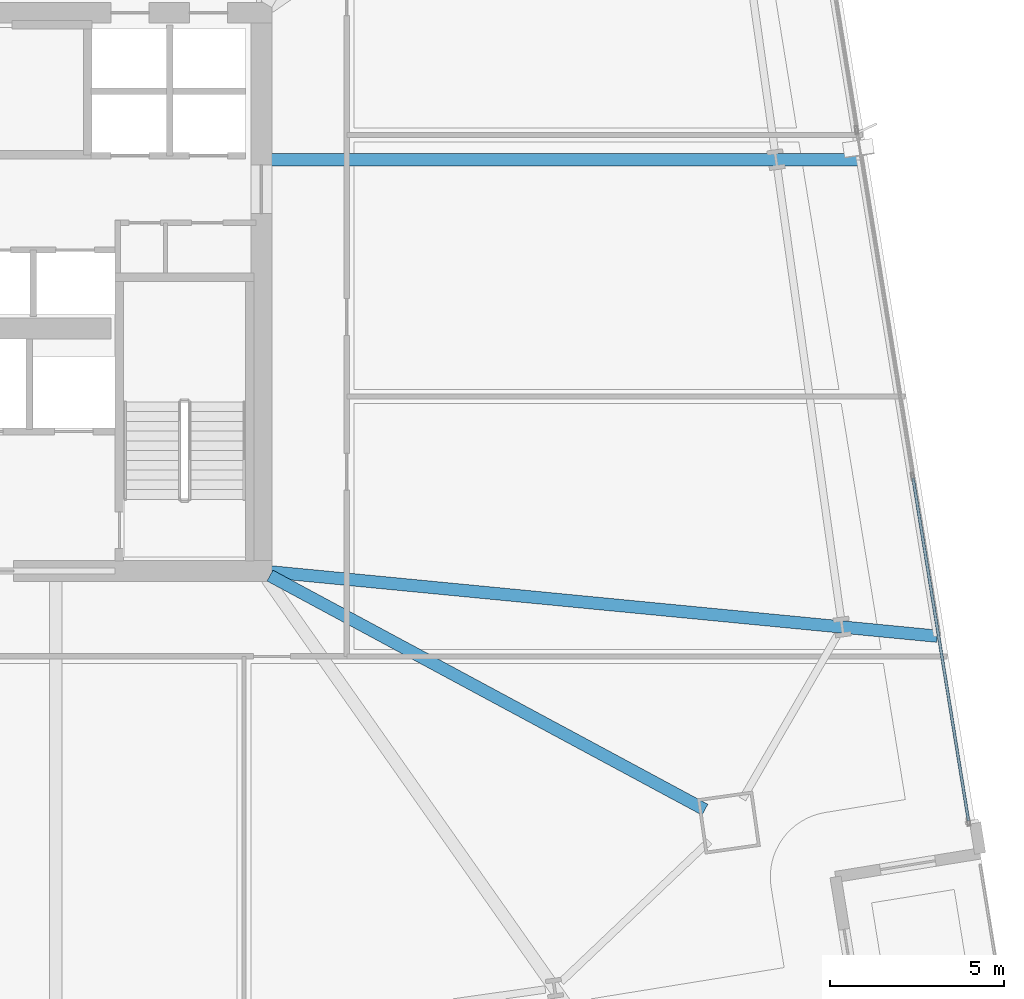
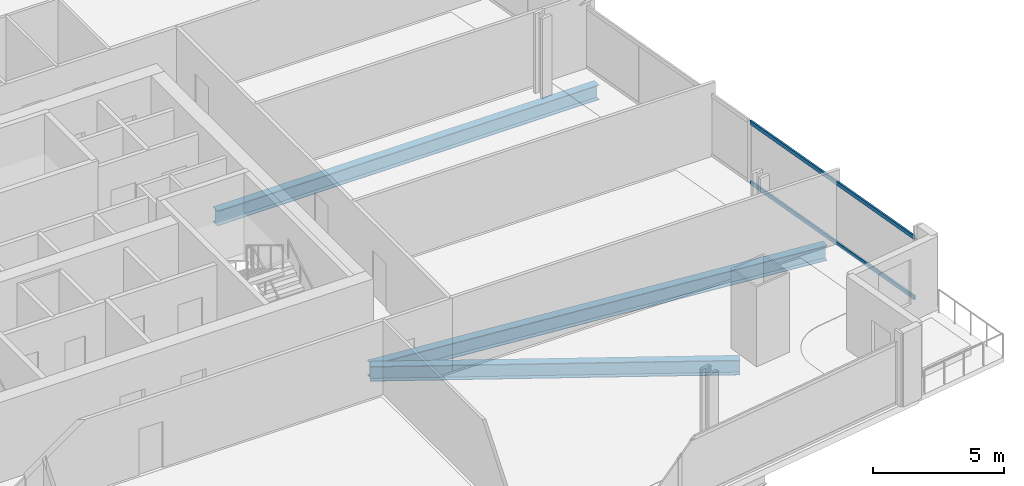
# One storey, part 12 of 33: 3 beams, 2 members, 1 element without a shape of its own.
"""IFC4 building model written with IfcOpenShell, lengths in metres."""

import ifcopenshell
import ifcopenshell.guid

model = None  # the IFC model being written
_history = None  # IfcOwnerHistory: only IFC2X3 demands one
_inside = {}  # id of a spatial element -> (the spatial element, [elements in it])
_under = {}  # id of a project, library or spatial element -> (it, [spatial elements below it])
_declared = {}  # id of a project -> (the project, [libraries it declares])
_typed = {}  # id of a type object -> (the type object, [elements of that type])
_made_of = {}  # id of a material, layer set ... -> (it, [elements and type objects made of it])


def new_model(schema):
    """Start an empty IFC model of exactly this schema.

    Asked for "IFC4X3", IfcOpenShell would pick the latest addendum, in which some entities
    have other attributes; the version numbers below select the first issue.
    IFC2X3 requires an IfcOwnerHistory on every rooted entity: one is made here for all.
    """
    global model, _history
    if schema == "IFC4X3":
        model = ifcopenshell.file(schema_version=(4, 3, 0, 0))
    else:
        model = ifcopenshell.file(schema=schema)
    _inside.clear()
    _under.clear()
    _declared.clear()
    _typed.clear()
    _made_of.clear()
    _history = None
    if model.schema == "IFC2X3":
        org = make("IfcOrganization", Name="unknown")
        user = make(
            "IfcPersonAndOrganization",
            ThePerson=make("IfcPerson", FamilyName="unknown"),
            TheOrganization=org,
        )
        app = make(
            "IfcApplication",
            ApplicationDeveloper=org,
            Version="unknown",
            ApplicationFullName="unknown",
            ApplicationIdentifier="unknown",
        )
        _history = make(
            "IfcOwnerHistory",
            OwningUser=user,
            OwningApplication=app,
            ChangeAction="ADDED",
            CreationDate=0,
        )
    return model


def make(cls, **values):
    """One entity of the class cls with the attributes given. An attribute that is None is left unset."""
    return model.create_entity(
        cls, **{name: value for name, value in values.items() if value is not None}
    )


def rooted(cls, **values):
    """An entity with a GlobalId (a new one), such as an element, a storey or a relation."""
    return make(cls, GlobalId=ifcopenshell.guid.new(), OwnerHistory=_history, **values)


def si_unit(unit_type, name, prefix=None):
    """IfcSIUnit, for example si_unit("LENGTHUNIT", "METRE", prefix="MILLI")."""
    return make("IfcSIUnit", UnitType=unit_type, Prefix=prefix, Name=name)


def assignment(units):
    """IfcUnitAssignment: the units of a project."""
    return None if units is None else make("IfcUnitAssignment", Units=units)


def point(xyz):
    """IfcCartesianPoint."""
    return None if xyz is None else make("IfcCartesianPoint", Coordinates=xyz)


def direction(xyz):
    """IfcDirection."""
    return None if xyz is None else make("IfcDirection", DirectionRatios=xyz)


def frame(location, z_axis=None, x_axis=None):
    """IfcAxis2Placement3D, a coordinate frame: its origin and axes. An axis left out is left unset."""
    return make(
        "IfcAxis2Placement3D",
        Location=point(location),
        Axis=direction(z_axis),
        RefDirection=direction(x_axis),
    )


def frame_2d(location, x_axis=None):
    """IfcAxis2Placement2D, a coordinate frame in the plane: its origin and x axis."""
    return make(
        "IfcAxis2Placement2D", Location=point(location), RefDirection=direction(x_axis)
    )


def origin():
    """The frame at (0, 0, 0) with its axes left unset."""
    return frame((0.0, 0.0, 0.0))


def origin_2d():
    """The frame at (0, 0) in the plane with its x axis left unset."""
    return frame_2d((0.0, 0.0))


def place(relative_to, where):
    """IfcLocalPlacement: puts the frame where relative to a parent placement (None: the world)."""
    return make(
        "IfcLocalPlacement", PlacementRelTo=relative_to, RelativePlacement=where
    )


def context(
    kind, dimensions, precision=None, world=None, true_north=None, identifier=None
):
    """IfcGeometricRepresentationContext, for example the 3D "Model" context."""
    return make(
        "IfcGeometricRepresentationContext",
        ContextIdentifier=identifier,
        ContextType=kind,
        CoordinateSpaceDimension=dimensions,
        Precision=precision,
        WorldCoordinateSystem=world,
        TrueNorth=true_north,
    )


def subcontext(parent, identifier, kind, view, scale=None):
    """IfcGeometricRepresentationSubContext, for example "Body" below "Model"."""
    return make(
        "IfcGeometricRepresentationSubContext",
        ContextIdentifier=identifier,
        ContextType=kind,
        ParentContext=parent,
        TargetScale=scale,
        TargetView=view,
    )


def project(units=None, contexts=None):
    """IfcProject with its units and contexts."""
    return rooted(
        "IfcProject",
        Name="project",
        RepresentationContexts=contexts,
        UnitsInContext=assignment(units),
    )


def spatial(cls, under=None, at=None, **own):
    """A site, building, storey or space (cls), placed at a placement, below another one or the project."""
    s = rooted(cls, ObjectPlacement=at, **own)
    if under is not None:
        _under.setdefault(under.id(), (under, []))[1].append(s)
    return s


def profile(cls, at=None, kind="AREA", **sizes):
    """A parametric profile (cls). Its sizes go by their IFC names, for example OverallWidth=200.0."""
    return make(cls, ProfileType=kind, Position=at, **sizes)


def hollow_rectangle(**sizes):
    """IfcRectangleHollowProfileDef."""
    return profile("IfcRectangleHollowProfileDef", **sizes)


def i_section(**sizes):
    """IfcIShapeProfileDef."""
    return profile("IfcIShapeProfileDef", **sizes)


def extrude(swept, where, along, depth):
    """IfcExtrudedAreaSolid: the profile swept, set in the frame where, extruded along a direction by depth."""
    return make(
        "IfcExtrudedAreaSolid",
        SweptArea=swept,
        Position=where,
        ExtrudedDirection=direction(along),
        Depth=depth,
    )


def shape(context_of_items, identifier, shape_type, items):
    """IfcShapeRepresentation: the items that make up one representation, for example the "Body"."""
    return make(
        "IfcShapeRepresentation",
        ContextOfItems=context_of_items,
        RepresentationIdentifier=identifier,
        RepresentationType=shape_type,
        Items=items,
    )


def material(Name=None, Category=None):
    """IfcMaterial."""
    return make("IfcMaterial", Name=Name, Category=Category)


def material_profile(
    of_material, cross_section, Name=None, Category=None, Priority=None
):
    """IfcMaterialProfile: a cross section and its material."""
    return make(
        "IfcMaterialProfile",
        Name=Name,
        Material=of_material,
        Profile=cross_section,
        Priority=Priority,
        Category=Category,
    )


def profile_set(profiles, Name=None, composite=None):
    """IfcMaterialProfileSet."""
    return make(
        "IfcMaterialProfileSet",
        Name=Name,
        MaterialProfiles=profiles,
        CompositeProfile=composite,
    )


def made_of(thing, what):
    """Note that an element or type object is made of a material, layer set ...; save() writes the relation."""
    if what is not None:
        _made_of.setdefault(what.id(), (what, []))[1].append(thing)
    return thing


def type_object(cls, material=None, **own):
    """A type object (cls), such as IfcWallType, which elements share."""
    return made_of(rooted(cls, **own), material)


def element(
    cls,
    number,
    at=None,
    inside=None,
    cuts=None,
    type_object=None,
    material=None,
    context=None,
    identifier="Body",
    shape_type=None,
    held_by="IfcProductDefinitionShape",
    body=None,
    shapes=None,
    **own,
):
    """One element of the class cls, such as IfcWall. Its Tag is "e" and its number.

    at: its placement. inside: the storey or other place that contains it. cuts: it is an
    opening in that element (IfcRelVoidsElement). A single representation is given by context,
    identifier, shape_type and body (its items); several are given by shapes. held_by: the class
    of the entity that holds the representations. save() writes the other relations.
    """
    e = rooted(cls, Tag="e%d" % number, ObjectPlacement=at, **own)
    if body is not None:
        shapes = [shape(context, identifier, shape_type, body)]
    if shapes is not None:
        e.Representation = make(held_by, Representations=shapes)
    if inside is not None:
        _inside.setdefault(inside.id(), (inside, []))[1].append(e)
    if cuts is not None:
        rooted(
            "IfcRelVoidsElement", RelatingBuildingElement=cuts, RelatedOpeningElement=e
        )
    if type_object is not None:
        _typed.setdefault(type_object.id(), (type_object, []))[1].append(e)
    return made_of(e, material)


def aggregate(whole, parts):
    """IfcRelAggregates: a whole, such as a stair, and the parts it consists of."""
    return rooted("IfcRelAggregates", RelatingObject=whole, RelatedObjects=parts)


def save(model, path):
    """Write the relations noted so far, then the file.

    IfcRelAggregates (storeys below a building ...), IfcRelContainedInSpatialStructure (elements
    in a storey), IfcRelDefinesByType, IfcRelAssociatesMaterial and IfcRelDeclares: one each for
    every whole, place, type object, material and project.
    """
    for whole, parts in _under.values():
        aggregate(whole, parts)
    for where, things in _inside.values():
        rooted(
            "IfcRelContainedInSpatialStructure",
            RelatedElements=things,
            RelatingStructure=where,
        )
    for kind, things in _typed.values():
        rooted("IfcRelDefinesByType", RelatedObjects=things, RelatingType=kind)
    for what, things in _made_of.values():
        rooted("IfcRelAssociatesMaterial", RelatedObjects=things, RelatingMaterial=what)
    for by, libraries in _declared.values():
        rooted("IfcRelDeclares", RelatingContext=by, RelatedDefinitions=libraries)
    model.write(path)


model = new_model("IFC4")

# Units and contexts
model_context = context("Model", 3, precision=1e-05, world=origin(), true_north=direction((0.0, 1.0)))
body_context = subcontext(model_context, "Body", "Model", "MODEL_VIEW")
ifc_project = project(units=[si_unit("LENGTHUNIT", "METRE"), si_unit("AREAUNIT", "SQUARE_METRE"), si_unit("VOLUMEUNIT", "CUBIC_METRE"), si_unit("PLANEANGLEUNIT", "RADIAN"), si_unit("MASSUNIT", "GRAM", prefix="KILO")], contexts=[model_context])

# Site, building, storey
site_placement = place(None, origin())
site = spatial("IfcSite", under=ifc_project, at=site_placement, CompositionType="ELEMENT")
building_placement = place(site_placement, origin())
building = spatial("IfcBuilding", under=site, at=building_placement, Name="Haldenkirk Collegiate Tower", CompositionType="ELEMENT")
storey_placement = place(building_placement, frame((0.0, 0.0, 58.949951171875)))
storey = spatial("IfcBuildingStorey", under=building, at=storey_placement, Name="L13", CompositionType="ELEMENT", Elevation=58.949951171875)

# Beams
ifc_material_1 = material(Name="Steel ASTM A992 Grade 50", Category="steel")
ifc_material_profile_1 = material_profile(ifc_material_1, i_section(OverallWidth=0.35498046875, OverallDepth=0.696044921875, WebThickness=0.015380859375, FlangeThickness=0.02490234375, at=origin_2d()), Name="W27X146")
ifc_profile_set_1 = profile_set([ifc_material_profile_1], Name="Steel ASTM A992 Grade 50")
beam_type = type_object("IfcBeamType", Name="BM-GIRDER-W27X146", PredefinedType="BEAM", material=ifc_profile_set_1)
beam_1_placement = place(storey_placement, frame((57.71435546875, 11.15673828125, -0.657958984375), z_axis=(-0.880558564783, 0.473937352386, 0.0), x_axis=(-0.473937352386, -0.880558564783, 0.0)))
element("IfcBeam", 1, at=beam_1_placement, inside=storey, type_object=beam_type, Name="L13 primary floor girder 02", PredefinedType="BEAM", context=body_context, shape_type="SweptSolid", body=[
    extrude(i_section(OverallWidth=0.35498046875, OverallDepth=0.696044921875, WebThickness=0.015380859375, FlangeThickness=0.02490234375, at=origin_2d()), origin(), (0.0, 0.0, 1.0), 14.158935546875),
])
beam_2_placement = place(storey_placement, frame((64.373046875, 16.1298828125, -0.657958984375), z_axis=(-0.995372815341, 0.096088284821, 0.0), x_axis=(-0.096088284821, -0.995372815341, 0.0)))
element("IfcBeam", 2, at=beam_2_placement, inside=storey, type_object=beam_type, Name="L13 primary floor girder 08", PredefinedType="BEAM", context=body_context, shape_type="SweptSolid", body=[
    extrude(i_section(OverallWidth=0.35498046875, OverallDepth=0.696044921875, WebThickness=0.015380859375, FlangeThickness=0.02490234375, at=origin_2d()), origin(), (0.0, 0.0, 1.0), 19.18310546875),
])
beam_3_placement = place(storey_placement, frame((62.16064453125, 29.788818359375, -0.657958984375), z_axis=(-1.0, 0.0, 0.0), x_axis=(0.0, -1.0, 0.0)))
element("IfcBeam", 3, at=beam_3_placement, inside=storey, type_object=beam_type, Name="L13 primary floor girder 09", PredefinedType="BEAM", context=body_context, shape_type="SweptSolid", body=[
    extrude(i_section(OverallWidth=0.35498046875, OverallDepth=0.696044921875, WebThickness=0.015380859375, FlangeThickness=0.02490234375, at=origin_2d()), origin(), (0.0, 0.0, 1.0), 16.880615234375),
])

# Curtain wall, members
ifc_material_2 = material(Name="Anodised architectural bronze aluminium", Category="aluminium")
curtain_wall_type = type_object("IfcCurtainWallType", Name="CW-SYS1-CONVEX-LOW", PredefinedType="USERDEFINED", material=ifc_material_2)
curtain_wall_placement = place(storey_placement, origin())
curtain_wall = element("IfcCurtainWall", 4, at=curtain_wall_placement, inside=storey, type_object=curtain_wall_type, Name="L13 Lower tower convex bronze-framed unitised curtain wall", ObjectType="UNITISED CURTAIN WALL", PredefinedType="USERDEFINED")
ifc_material_profile_2 = material_profile(ifc_material_2, hollow_rectangle(XDim=0.080078125, YDim=0.179931640625, WallThickness=0.0048828125, at=origin_2d()), Name="CW-TRN-1A")
ifc_profile_set_2 = profile_set([ifc_material_profile_2], Name="Anodised architectural bronze aluminium")
member_type = type_object("IfcMemberType", Name="CW-TRN-1A", PredefinedType="USERDEFINED", material=ifc_profile_set_2)
member_1_placement = place(storey_placement, frame((63.6796875, 20.660400390625, 0.0400390625), z_axis=(0.159876636244, -0.987137002236, 0.0), x_axis=(0.987137002236, 0.159876636244, 0.0)))
member_1 = element("IfcMember", 5, at=member_1_placement, type_object=member_type, Name="CW-1A transom 4.1", ObjectType="TRANSOM", PredefinedType="USERDEFINED", context=body_context, shape_type="SweptSolid", body=[
    extrude(hollow_rectangle(XDim=0.080078125, YDim=0.179931640625, WallThickness=0.0048828125, at=origin_2d()), origin(), (0.0, 0.0, 1.0), 9.94873046875),
])
member_2_placement = place(storey_placement, frame((63.6796875, 20.660400390625, 2.85107421875), z_axis=(0.159876636244, -0.987137002236, 0.0), x_axis=(0.987137002236, 0.159876636244, 0.0)))
member_2 = element("IfcMember", 6, at=member_2_placement, type_object=member_type, Name="CW-1A transom 4.2", ObjectType="TRANSOM", PredefinedType="USERDEFINED", context=body_context, shape_type="SweptSolid", body=[
    extrude(hollow_rectangle(XDim=0.080078125, YDim=0.179931640625, WallThickness=0.0048828125, at=origin_2d()), origin(), (0.0, 0.0, 1.0), 9.94873046875),
])
aggregate(curtain_wall, [member_1, member_2])

save(model, "model.ifc")
